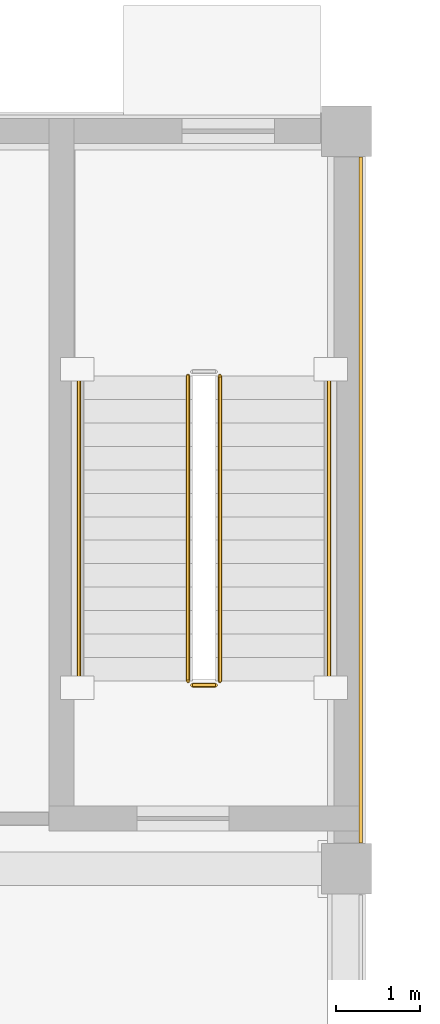
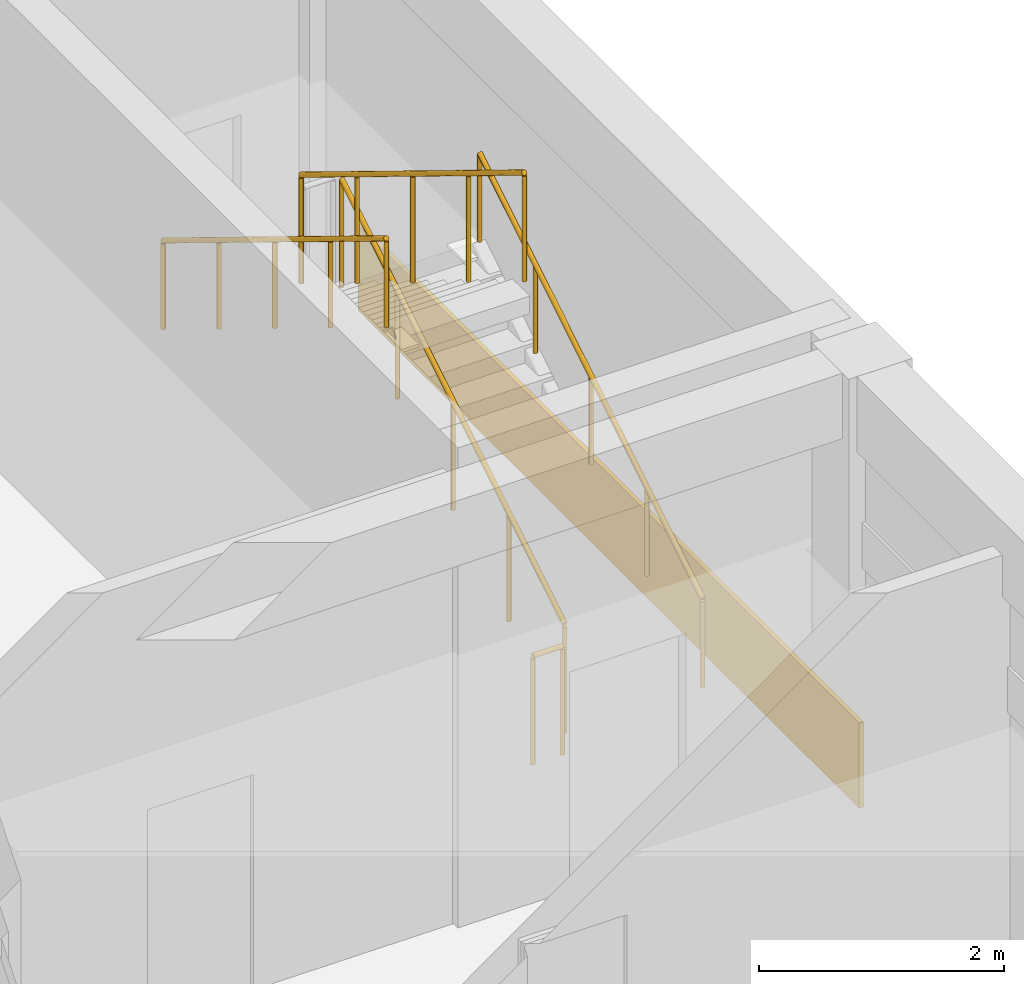
# One storey, part 48 of 58: 5 railings, 1 covering.
"""IFC4 building model written with IfcOpenShell, lengths in metres."""

from ifc_helpers import new_model, si_unit, direction, frame, origin, origin_2d, place, context, subcontext, project, spatial, polyline, circle, outline, extrude, material, layer, layer_set, type_object, element, save


model = new_model("IFC4")

# Units and contexts
model_context = context("Model", 3, precision=1e-05, world=origin(), true_north=direction((0.0, 1.0)))
body_context = subcontext(model_context, "Body", "Model", "MODEL_VIEW")
ifc_project = project(units=[si_unit("LENGTHUNIT", "METRE"), si_unit("AREAUNIT", "SQUARE_METRE"), si_unit("VOLUMEUNIT", "CUBIC_METRE"), si_unit("PLANEANGLEUNIT", "RADIAN"), si_unit("MASSUNIT", "GRAM", prefix="KILO")], contexts=[model_context])

# Site, building, storey
site_placement = place(None, origin())
site = spatial("IfcSite", under=ifc_project, at=site_placement, CompositionType="ELEMENT")
building_placement = place(site_placement, origin())
building = spatial("IfcBuilding", under=site, at=building_placement, Name="Kemercrest Conservatory and Botanical Centre", CompositionType="ELEMENT")
storey_placement = place(building_placement, origin())
storey = spatial("IfcBuildingStorey", under=building, at=storey_placement, Name="L00", CompositionType="ELEMENT", Elevation=0.0)

# Covering
ifc_material_1 = material(Name="Honed limestone almasik ashlar rainscreen", Category="masonry")
ifc_layer = layer(ifc_material_1, 0.0400390625)
ifc_layer_set = layer_set([ifc_layer], Name="Honed limestone almasik ashlar rainscreen")
covering_type = type_object("IfcCoveringType", Name="CV-CLD040", PredefinedType="CLADDING", material=ifc_layer_set)
covering_placement = place(storey_placement, origin())
element("IfcCovering", 1, at=covering_placement, inside=storey, type_object=covering_type, Name="Exterior stone spandrel cladding (WAL:L00:EXT-028)", PredefinedType="CLADDING", context=body_context, shape_type="SweptSolid", body=[
    extrude(outline(polyline([(100.550048828125, 34.7099609375), (100.590087890625, 34.7099609375), (100.590087890625, 42.889892578125), (100.550048828125, 42.889892578125), (100.550048828125, 34.7099609375)])), origin(), (0.0, 0.0, 1.0), 0.85009765625),
])

# Railings
ifc_material_2 = material(Name="Painted galvanized steel tubular stair guardrail", Category="steel")
railing_type_1 = type_object("IfcRailingType", Name="GR-STR110", PredefinedType="GUARDRAIL", material=ifc_material_2)
railing_1_placement = place(storey_placement, frame((98.889892578125, 36.639892578125, 0.17138671875)))
element("IfcRailing", 2, at=railing_1_placement, inside=storey, type_object=railing_type_1, Name="L00 ST-V2B stair guard 1", PredefinedType="GUARDRAIL", context=body_context, shape_type="SweptSolid", body=[
    extrude(circle(Radius=0.02392578125, at=origin_2d()), frame((0.0, 0.0, 1.076171875), z_axis=(0.0, 0.852865859571, 0.52213008492), x_axis=(-1.0, 0.0, 0.0)), (0.0, 0.0, 1.0), 4.26806640625),
    extrude(circle(Radius=0.02099609375, at=origin_2d()), origin(), (0.0, 0.0, 1.0), 1.052001953125),
    extrude(circle(Radius=0.02099609375, at=origin_2d()), frame((0.0, 0.91015625, 0.55712890625)), (0.0, 0.0, 1.0), 1.052001953125),
    extrude(circle(Radius=0.02099609375, at=origin_2d()), frame((0.0, 1.820068359375, 1.1142578125)), (0.0, 0.0, 1.0), 1.052001953125),
    extrude(circle(Radius=0.02099609375, at=origin_2d()), frame((0.0, 2.72998046875, 1.67138671875)), (0.0, 0.0, 1.0), 1.052001953125),
    extrude(circle(Radius=0.02099609375, at=origin_2d()), frame((0.0, 3.64013671875, 2.228515625)), (0.0, 0.0, 1.0), 1.052001953125),
])
railing_2_placement = place(storey_placement, frame((98.510009765625, 40.280029296875, 2.571533203125)))
element("IfcRailing", 3, at=railing_2_placement, inside=storey, type_object=railing_type_1, Name="L00 ST-V2B stair guard 3", PredefinedType="GUARDRAIL", context=body_context, shape_type="SweptSolid", body=[
    extrude(circle(Radius=0.02392578125, at=origin_2d()), frame((0.0, 0.0, 1.076171875), z_axis=(0.0, -0.852865859571, 0.52213008492), x_axis=(1.0, 0.0, 0.0)), (0.0, 0.0, 1.0), 4.26806640625),
    extrude(circle(Radius=0.02099609375, at=origin_2d()), origin(), (0.0, 0.0, 1.0), 1.052001953125),
    extrude(circle(Radius=0.02099609375, at=origin_2d()), frame((0.0, -0.91015625, 0.55712890625)), (0.0, 0.0, 1.0), 1.052001953125),
    extrude(circle(Radius=0.02099609375, at=origin_2d()), frame((0.0, -1.820068359375, 1.1142578125)), (0.0, 0.0, 1.0), 1.052001953125),
    extrude(circle(Radius=0.02099609375, at=origin_2d()), frame((0.0, -2.72998046875, 1.67138671875)), (0.0, 0.0, 1.0), 1.052001953125),
    extrude(circle(Radius=0.02099609375, at=origin_2d()), frame((0.0, -3.64013671875, 2.228515625)), (0.0, 0.0, 1.0), 1.052001953125),
])
railing_3_placement = place(storey_placement, frame((98.840087890625, 36.590087890625, 0.0)))
element("IfcRailing", 4, at=railing_3_placement, inside=storey, type_object=railing_type_1, Name="L00 ST-V2B stair guard 4", PredefinedType="GUARDRAIL", context=body_context, shape_type="SweptSolid", body=[
    extrude(circle(Radius=0.02392578125, at=origin_2d()), frame((0.0, 0.0, 1.076171875), z_axis=(-1.0, 0.0, 0.0), x_axis=(0.0, -1.0, 0.0)), (0.0, 0.0, 1.0), 0.280029296875),
    extrude(circle(Radius=0.02099609375, at=origin_2d()), origin(), (0.0, 0.0, 1.0), 1.052001953125),
    extrude(circle(Radius=0.02099609375, at=origin_2d()), frame((-0.280029296875, 0.0, 0.0)), (0.0, 0.0, 1.0), 1.052001953125),
])
ifc_material_3 = material(Name="Brushed stainless steel wall-mounted handrail", Category="steel")
railing_type_2 = type_object("IfcRailingType", Name="HR-STR090", PredefinedType="HANDRAIL", material=ifc_material_3)
railing_4_placement = place(storey_placement, frame((100.18994140625, 36.639892578125, 0.17138671875)))
element("IfcRailing", 5, at=railing_4_placement, inside=storey, type_object=railing_type_2, Name="L00 ST-V2B stair handrail 1", PredefinedType="HANDRAIL", context=body_context, shape_type="SweptSolid", body=[
    extrude(circle(Radius=0.02392578125, at=origin_2d()), frame((0.0, 0.0, 0.8759765625), z_axis=(0.0, 0.852865859571, 0.52213008492), x_axis=(-1.0, 0.0, 0.0)), (0.0, 0.0, 1.0), 4.26806640625),
    extrude(circle(Radius=0.02099609375, at=origin_2d()), origin(), (0.0, 0.0, 1.0), 0.851806640625),
    extrude(circle(Radius=0.02099609375, at=origin_2d()), frame((0.0, 0.91015625, 0.55712890625)), (0.0, 0.0, 1.0), 0.851806640625),
    extrude(circle(Radius=0.02099609375, at=origin_2d()), frame((0.0, 1.820068359375, 1.1142578125)), (0.0, 0.0, 1.0), 0.851806640625),
    extrude(circle(Radius=0.02099609375, at=origin_2d()), frame((0.0, 2.72998046875, 1.67138671875)), (0.0, 0.0, 1.0), 0.851806640625),
    extrude(circle(Radius=0.02099609375, at=origin_2d()), frame((0.0, 3.64013671875, 2.228515625)), (0.0, 0.0, 1.0), 0.851806640625),
])
railing_5_placement = place(storey_placement, frame((97.2099609375, 40.280029296875, 2.571533203125)))
element("IfcRailing", 6, at=railing_5_placement, inside=storey, type_object=railing_type_2, Name="L00 ST-V2B stair handrail 2", PredefinedType="HANDRAIL", context=body_context, shape_type="SweptSolid", body=[
    extrude(circle(Radius=0.02392578125, at=origin_2d()), frame((0.0, 0.0, 0.8759765625), z_axis=(0.0, -0.852865859571, 0.52213008492), x_axis=(1.0, 0.0, 0.0)), (0.0, 0.0, 1.0), 4.26806640625),
    extrude(circle(Radius=0.02099609375, at=origin_2d()), origin(), (0.0, 0.0, 1.0), 0.851806640625),
    extrude(circle(Radius=0.02099609375, at=origin_2d()), frame((0.0, -0.91015625, 0.55712890625)), (0.0, 0.0, 1.0), 0.851806640625),
    extrude(circle(Radius=0.02099609375, at=origin_2d()), frame((0.0, -1.820068359375, 1.1142578125)), (0.0, 0.0, 1.0), 0.851806640625),
    extrude(circle(Radius=0.02099609375, at=origin_2d()), frame((0.0, -2.72998046875, 1.67138671875)), (0.0, 0.0, 1.0), 0.851806640625),
    extrude(circle(Radius=0.02099609375, at=origin_2d()), frame((0.0, -3.64013671875, 2.228515625)), (0.0, 0.0, 1.0), 0.851806640625),
])

save(model, "model.ifc")
